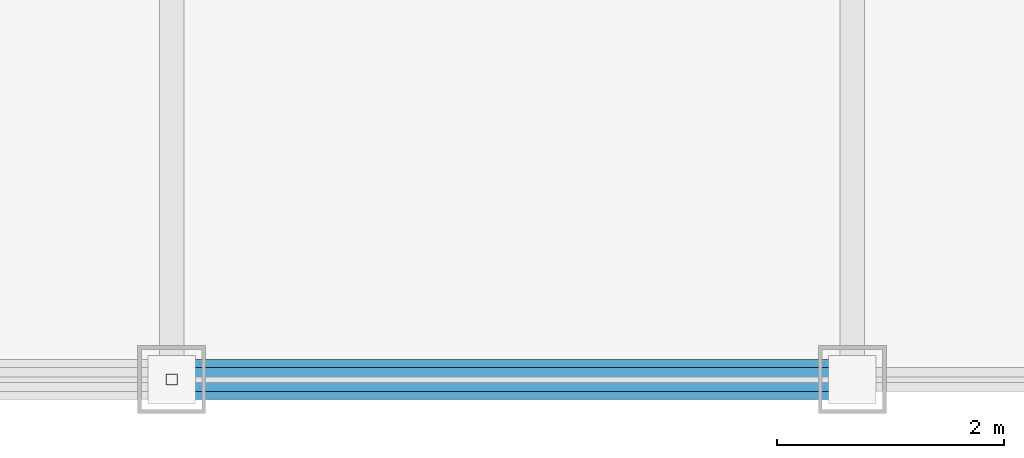
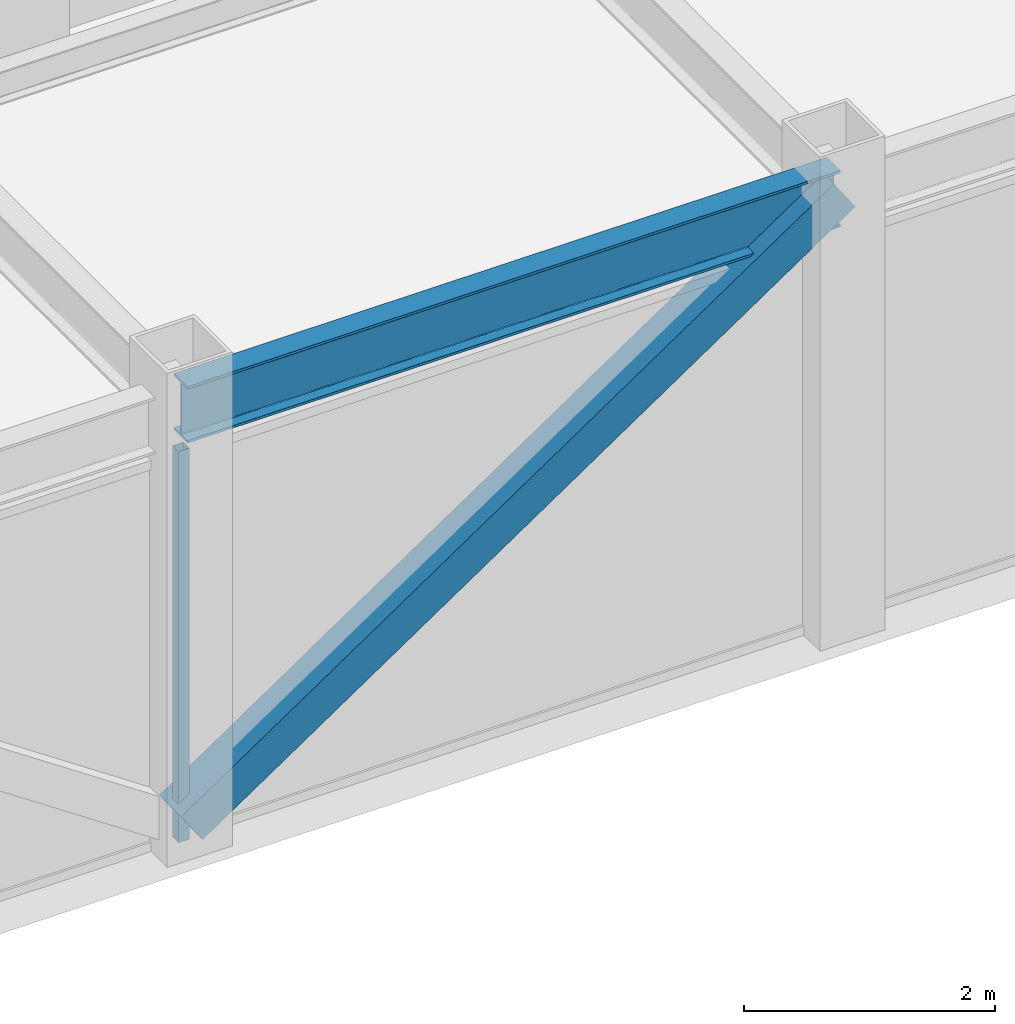
# One storey, part 4 of 27: 2 members, 1 beam, 1 element without a shape of its own.
"""IFC4 building model written with IfcOpenShell, lengths in metres."""

from ifc_helpers import new_model, si_unit, direction, frame, origin, origin_2d, place, context, subcontext, project, spatial, hollow_rectangle, i_section, extrude, source, transform, mapped, material, material_profile, profile_set, type_object, element, aggregate, save


model = new_model("IFC4")

# Units and contexts
model_context = context("Model", 3, precision=1e-05, world=origin(), true_north=direction((0.0, 1.0)))
body_context = subcontext(model_context, "Body", "Model", "MODEL_VIEW")
ifc_project = project(units=[si_unit("LENGTHUNIT", "METRE"), si_unit("AREAUNIT", "SQUARE_METRE"), si_unit("VOLUMEUNIT", "CUBIC_METRE"), si_unit("PLANEANGLEUNIT", "RADIAN"), si_unit("MASSUNIT", "GRAM", prefix="KILO")], contexts=[model_context])

# Site, building, storey
site_placement = place(None, origin())
site = spatial("IfcSite", under=ifc_project, at=site_placement, CompositionType="ELEMENT")
building_placement = place(site_placement, origin())
building = spatial("IfcBuilding", under=site, at=building_placement, Name="Khorayat Bourse Tower", CompositionType="ELEMENT")
storey_placement = place(building_placement, frame((0.0, 0.0, 385.10009765625)))
storey = spatial("IfcBuildingStorey", under=building, at=storey_placement, Name="L91", CompositionType="ELEMENT", Elevation=385.10009765625)

# Beam
ifc_material_1 = material(Name="Steel ASTM A992 Grade 50", Category="steel")
ifc_material_profile_1 = material_profile(ifc_material_1, i_section(OverallWidth=0.214111328125, OverallDepth=0.549072265625, WebThickness=0.0146484375, FlangeThickness=0.023681640625, FilletRadius=0.013916015625, at=origin_2d()), Name="W530X138")
ifc_profile_set_1 = profile_set([ifc_material_profile_1], Name="Steel ASTM A992 Grade 50")
beam_type = type_object("IfcBeamType", Name="BM-SPAN-530", PredefinedType="SPANDREL", material=ifc_profile_set_1)
shared_shape_1 = source(origin(), body_context, "Body", "SweptSolid", [
    extrude(i_section(OverallWidth=0.214111328125, OverallDepth=0.549072265625, WebThickness=0.0146484375, FlangeThickness=0.023681640625, FilletRadius=0.013916015625, at=origin_2d()), origin(), (0.0, 0.0, 1.0), 6.0),
])
beam_placement = place(storey_placement, frame((0.0, -24.0, 4.17529296875), z_axis=(1.0, 0.0, 0.0), x_axis=(0.0, 1.0, 0.0)))
element("IfcBeam", 1, at=beam_placement, inside=storey, type_object=beam_type, Name="L91 BM-SPAN-530 BM-L91-SPN-027", PredefinedType="SPANDREL", context=body_context, shape_type="MappedRepresentation", body=[
    mapped(shared_shape_1, transform((0.0, 0.0, 0.0), scale=1.0)),
])

# Member
ifc_material_2 = material(Name="Steel EN 10025-2 S355J2", Category="steel")
ifc_material_profile_2 = material_profile(ifc_material_2, hollow_rectangle(XDim=0.35009765625, YDim=0.35009765625, WallThickness=0.02001953125, at=origin_2d()), Name="HSS 350x350x20")
ifc_profile_set_2 = profile_set([ifc_material_profile_2], Name="Steel EN 10025-2 S355J2")
member_type_1 = type_object("IfcMemberType", Name="MBR-CROWN-350", PredefinedType="USERDEFINED", material=ifc_profile_set_2)
shared_shape_2 = source(origin(), body_context, "Body", "SweptSolid", [
    extrude(hollow_rectangle(XDim=0.35009765625, YDim=0.35009765625, WallThickness=0.02001953125, at=origin_2d()), origin(), (0.0, 0.0, 1.0), 7.239013671875),
])
member_1_placement = place(storey_placement, frame((0.0, -24.0, 0.199951171875), z_axis=(0.828845546207, 0.0, 0.559477488852), x_axis=(0.0, 1.0, 0.0)))
element("IfcMember", 2, at=member_1_placement, inside=storey, type_object=member_type_1, Name="L91 Lantern Crown Frame Member 03", ObjectType="CROWN FRAME", PredefinedType="USERDEFINED", context=body_context, shape_type="MappedRepresentation", body=[
    mapped(shared_shape_2, transform((0.0, 0.0, 0.0), scale=1.0)),
])

# Curtain wall, member
ifc_material_3 = material(Name="Aluminium EN AW-6063 T6", Category="aluminium")
curtain_wall_type = type_object("IfcCurtainWallType", Name="CW-SYS-07", PredefinedType="NOTDEFINED", material=ifc_material_3)
curtain_wall_placement = place(storey_placement, origin())
curtain_wall = element("IfcCurtainWall", 3, at=curtain_wall_placement, inside=storey, type_object=curtain_wall_type, Name="L91 Curtain Wall CW-L91-S1", PredefinedType="NOTDEFINED")
ifc_material_profile_3 = material_profile(ifc_material_3, hollow_rectangle(XDim=0.10009765625, YDim=0.10009765625, WallThickness=0.0048828125, at=origin_2d()), Name="ALU 100x100x5")
ifc_profile_set_3 = profile_set([ifc_material_profile_3], Name="Aluminium EN AW-6063 T6")
member_type_2 = type_object("IfcMemberType", Name="CWM-LANTERN-100", PredefinedType="MULLION", material=ifc_profile_set_3)
shared_shape_3 = source(origin(), body_context, "Body", "SweptSolid", [
    extrude(hollow_rectangle(XDim=0.10009765625, YDim=0.10009765625, WallThickness=0.0048828125, at=origin_2d()), origin(), (0.0, 0.0, 1.0), 3.7998046875),
])
member_2_placement = place(storey_placement, frame((0.0, -24.0, 0.0), z_axis=(0.0, 0.0, 1.0), x_axis=(0.0, 1.0, 0.0)))
member_2 = element("IfcMember", 4, at=member_2_placement, type_object=member_type_2, Name="CW-L91-S1 Vertical Mullion 2", PredefinedType="MULLION", context=body_context, shape_type="MappedRepresentation", body=[
    mapped(shared_shape_3, transform((0.0, 0.0, 0.0), scale=1.0)),
])
aggregate(curtain_wall, [member_2])

save(model, "model.ifc")
